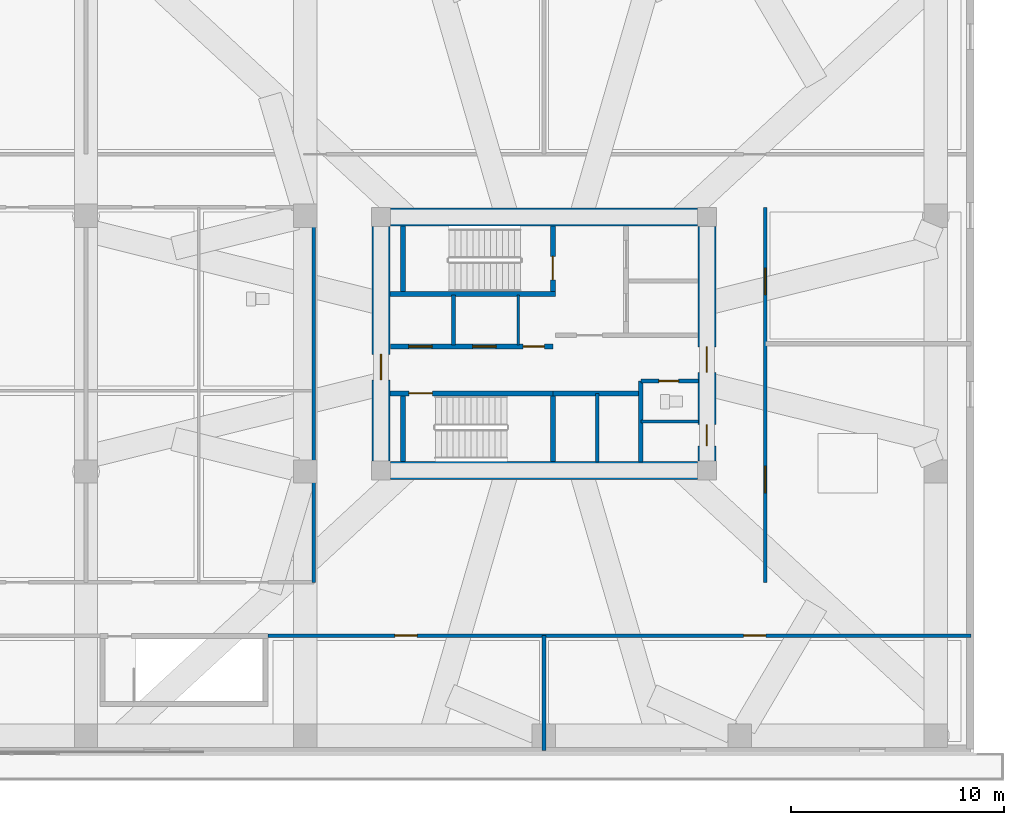
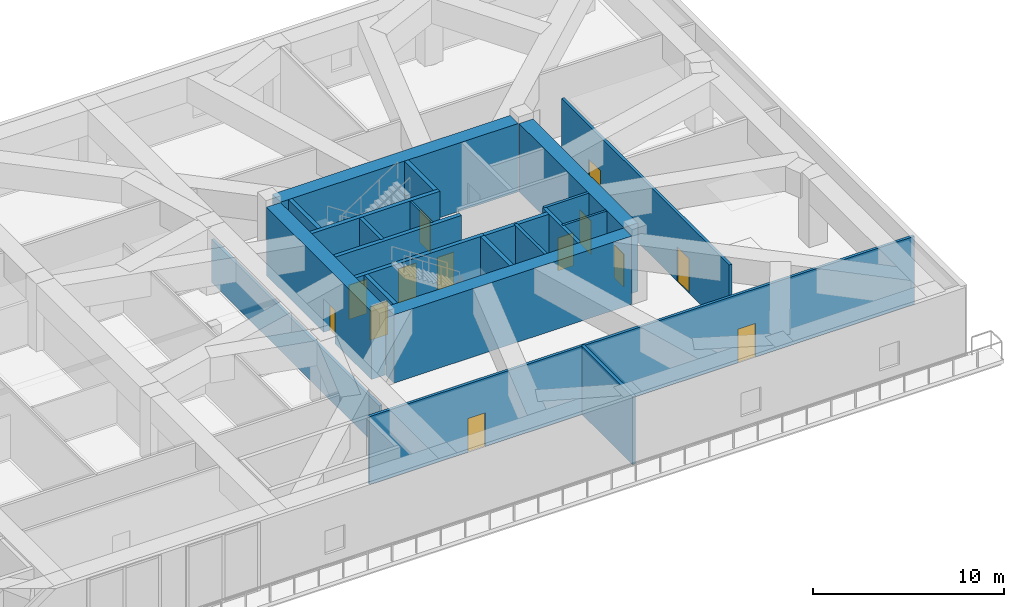
# One storey, part 11 of 21: 22 walls, 13 doors, 13 openings.
"""IFC4 building model written with IfcOpenShell, lengths in metres."""

import ifcopenshell
import ifcopenshell.guid

model = None  # the IFC model being written
_history = None  # IfcOwnerHistory: only IFC2X3 demands one
_inside = {}  # id of a spatial element -> (the spatial element, [elements in it])
_under = {}  # id of a project, library or spatial element -> (it, [spatial elements below it])
_declared = {}  # id of a project -> (the project, [libraries it declares])
_typed = {}  # id of a type object -> (the type object, [elements of that type])
_made_of = {}  # id of a material, layer set ... -> (it, [elements and type objects made of it])


def new_model(schema):
    """Start an empty IFC model of exactly this schema.

    Asked for "IFC4X3", IfcOpenShell would pick the latest addendum, in which some entities
    have other attributes; the version numbers below select the first issue.
    IFC2X3 requires an IfcOwnerHistory on every rooted entity: one is made here for all.
    """
    global model, _history
    if schema == "IFC4X3":
        model = ifcopenshell.file(schema_version=(4, 3, 0, 0))
    else:
        model = ifcopenshell.file(schema=schema)
    _inside.clear()
    _under.clear()
    _declared.clear()
    _typed.clear()
    _made_of.clear()
    _history = None
    if model.schema == "IFC2X3":
        org = make("IfcOrganization", Name="unknown")
        user = make(
            "IfcPersonAndOrganization",
            ThePerson=make("IfcPerson", FamilyName="unknown"),
            TheOrganization=org,
        )
        app = make(
            "IfcApplication",
            ApplicationDeveloper=org,
            Version="unknown",
            ApplicationFullName="unknown",
            ApplicationIdentifier="unknown",
        )
        _history = make(
            "IfcOwnerHistory",
            OwningUser=user,
            OwningApplication=app,
            ChangeAction="ADDED",
            CreationDate=0,
        )
    return model


def make(cls, **values):
    """One entity of the class cls with the attributes given. An attribute that is None is left unset."""
    return model.create_entity(
        cls, **{name: value for name, value in values.items() if value is not None}
    )


def rooted(cls, **values):
    """An entity with a GlobalId (a new one), such as an element, a storey or a relation."""
    return make(cls, GlobalId=ifcopenshell.guid.new(), OwnerHistory=_history, **values)


def si_unit(unit_type, name, prefix=None):
    """IfcSIUnit, for example si_unit("LENGTHUNIT", "METRE", prefix="MILLI")."""
    return make("IfcSIUnit", UnitType=unit_type, Prefix=prefix, Name=name)


def assignment(units):
    """IfcUnitAssignment: the units of a project."""
    return None if units is None else make("IfcUnitAssignment", Units=units)


def point(xyz):
    """IfcCartesianPoint."""
    return None if xyz is None else make("IfcCartesianPoint", Coordinates=xyz)


def direction(xyz):
    """IfcDirection."""
    return None if xyz is None else make("IfcDirection", DirectionRatios=xyz)


def frame(location, z_axis=None, x_axis=None):
    """IfcAxis2Placement3D, a coordinate frame: its origin and axes. An axis left out is left unset."""
    return make(
        "IfcAxis2Placement3D",
        Location=point(location),
        Axis=direction(z_axis),
        RefDirection=direction(x_axis),
    )


def frame_2d(location, x_axis=None):
    """IfcAxis2Placement2D, a coordinate frame in the plane: its origin and x axis."""
    return make(
        "IfcAxis2Placement2D", Location=point(location), RefDirection=direction(x_axis)
    )


def origin():
    """The frame at (0, 0, 0) with its axes left unset."""
    return frame((0.0, 0.0, 0.0))


def place(relative_to, where):
    """IfcLocalPlacement: puts the frame where relative to a parent placement (None: the world)."""
    return make(
        "IfcLocalPlacement", PlacementRelTo=relative_to, RelativePlacement=where
    )


def context(
    kind, dimensions, precision=None, world=None, true_north=None, identifier=None
):
    """IfcGeometricRepresentationContext, for example the 3D "Model" context."""
    return make(
        "IfcGeometricRepresentationContext",
        ContextIdentifier=identifier,
        ContextType=kind,
        CoordinateSpaceDimension=dimensions,
        Precision=precision,
        WorldCoordinateSystem=world,
        TrueNorth=true_north,
    )


def subcontext(parent, identifier, kind, view, scale=None):
    """IfcGeometricRepresentationSubContext, for example "Body" below "Model"."""
    return make(
        "IfcGeometricRepresentationSubContext",
        ContextIdentifier=identifier,
        ContextType=kind,
        ParentContext=parent,
        TargetScale=scale,
        TargetView=view,
    )


def project(units=None, contexts=None):
    """IfcProject with its units and contexts."""
    return rooted(
        "IfcProject",
        Name="project",
        RepresentationContexts=contexts,
        UnitsInContext=assignment(units),
    )


def spatial(cls, under=None, at=None, **own):
    """A site, building, storey or space (cls), placed at a placement, below another one or the project."""
    s = rooted(cls, ObjectPlacement=at, **own)
    if under is not None:
        _under.setdefault(under.id(), (under, []))[1].append(s)
    return s


def profile(cls, at=None, kind="AREA", **sizes):
    """A parametric profile (cls). Its sizes go by their IFC names, for example OverallWidth=200.0."""
    return make(cls, ProfileType=kind, Position=at, **sizes)


def rectangle(**sizes):
    """IfcRectangleProfileDef."""
    return profile("IfcRectangleProfileDef", **sizes)


def extrude(swept, where, along, depth):
    """IfcExtrudedAreaSolid: the profile swept, set in the frame where, extruded along a direction by depth."""
    return make(
        "IfcExtrudedAreaSolid",
        SweptArea=swept,
        Position=where,
        ExtrudedDirection=direction(along),
        Depth=depth,
    )


def shape(context_of_items, identifier, shape_type, items):
    """IfcShapeRepresentation: the items that make up one representation, for example the "Body"."""
    return make(
        "IfcShapeRepresentation",
        ContextOfItems=context_of_items,
        RepresentationIdentifier=identifier,
        RepresentationType=shape_type,
        Items=items,
    )


def source(mapping_origin, context_of_items, identifier, shape_type, items):
    """IfcRepresentationMap: a shape defined once, which mapped items show again and again."""
    return make(
        "IfcRepresentationMap",
        MappingOrigin=mapping_origin,
        MappedRepresentation=shape(context_of_items, identifier, shape_type, items),
    )


def transform(
    local_origin,
    x_axis=None,
    y_axis=None,
    z_axis=None,
    scale=None,
    scale2=None,
    scale3=None,
    uniform=True,
):
    """IfcCartesianTransformationOperator3D, or its non-uniform kind. x_axis, y_axis, z_axis: its Axis1, 2, 3."""
    if uniform:
        return make(
            "IfcCartesianTransformationOperator3D",
            Axis1=direction(x_axis),
            Axis2=direction(y_axis),
            LocalOrigin=point(local_origin),
            Scale=scale,
            Axis3=direction(z_axis),
        )
    return make(
        "IfcCartesianTransformationOperator3DnonUniform",
        Axis1=direction(x_axis),
        Axis2=direction(y_axis),
        LocalOrigin=point(local_origin),
        Scale=scale,
        Axis3=direction(z_axis),
        Scale2=scale2,
        Scale3=scale3,
    )


def mapped(mapping_source, mapping_target):
    """IfcMappedItem: shows the shape of a source again, moved by a transform."""
    return make(
        "IfcMappedItem", MappingSource=mapping_source, MappingTarget=mapping_target
    )


def material(Name=None, Category=None):
    """IfcMaterial."""
    return make("IfcMaterial", Name=Name, Category=Category)


def layer(
    of_material, thickness, ventilated=None, Name=None, Category=None, Priority=None
):
    """IfcMaterialLayer: one layer of a wall or slab, of a material (None: an air gap)."""
    return make(
        "IfcMaterialLayer",
        Material=of_material,
        LayerThickness=thickness,
        IsVentilated=ventilated,
        Name=Name,
        Category=Category,
        Priority=Priority,
    )


def layer_set(layers, Name=None):
    """IfcMaterialLayerSet."""
    return make("IfcMaterialLayerSet", MaterialLayers=layers, LayerSetName=Name)


def made_of(thing, what):
    """Note that an element or type object is made of a material, layer set ...; save() writes the relation."""
    if what is not None:
        _made_of.setdefault(what.id(), (what, []))[1].append(thing)
    return thing


def type_object(cls, material=None, **own):
    """A type object (cls), such as IfcWallType, which elements share."""
    return made_of(rooted(cls, **own), material)


def type_shapes(of_type, sources):
    """Give a type object the sources (RepresentationMaps) that its elements show as mapped items."""
    of_type.RepresentationMaps = sources


def element(
    cls,
    number,
    at=None,
    inside=None,
    cuts=None,
    type_object=None,
    material=None,
    context=None,
    identifier="Body",
    shape_type=None,
    held_by="IfcProductDefinitionShape",
    body=None,
    shapes=None,
    **own,
):
    """One element of the class cls, such as IfcWall. Its Tag is "e" and its number.

    at: its placement. inside: the storey or other place that contains it. cuts: it is an
    opening in that element (IfcRelVoidsElement). A single representation is given by context,
    identifier, shape_type and body (its items); several are given by shapes. held_by: the class
    of the entity that holds the representations. save() writes the other relations.
    """
    e = rooted(cls, Tag="e%d" % number, ObjectPlacement=at, **own)
    if body is not None:
        shapes = [shape(context, identifier, shape_type, body)]
    if shapes is not None:
        e.Representation = make(held_by, Representations=shapes)
    if inside is not None:
        _inside.setdefault(inside.id(), (inside, []))[1].append(e)
    if cuts is not None:
        rooted(
            "IfcRelVoidsElement", RelatingBuildingElement=cuts, RelatedOpeningElement=e
        )
    if type_object is not None:
        _typed.setdefault(type_object.id(), (type_object, []))[1].append(e)
    return made_of(e, material)


def fill(opening, filler):
    """IfcRelFillsElement: the door or window that sits in an opening."""
    return rooted(
        "IfcRelFillsElement",
        RelatingOpeningElement=opening,
        RelatedBuildingElement=filler,
    )


def aggregate(whole, parts):
    """IfcRelAggregates: a whole, such as a stair, and the parts it consists of."""
    return rooted("IfcRelAggregates", RelatingObject=whole, RelatedObjects=parts)


def save(model, path):
    """Write the relations noted so far, then the file.

    IfcRelAggregates (storeys below a building ...), IfcRelContainedInSpatialStructure (elements
    in a storey), IfcRelDefinesByType, IfcRelAssociatesMaterial and IfcRelDeclares: one each for
    every whole, place, type object, material and project.
    """
    for whole, parts in _under.values():
        aggregate(whole, parts)
    for where, things in _inside.values():
        rooted(
            "IfcRelContainedInSpatialStructure",
            RelatedElements=things,
            RelatingStructure=where,
        )
    for kind, things in _typed.values():
        rooted("IfcRelDefinesByType", RelatedObjects=things, RelatingType=kind)
    for what, things in _made_of.values():
        rooted("IfcRelAssociatesMaterial", RelatedObjects=things, RelatingMaterial=what)
    for by, libraries in _declared.values():
        rooted("IfcRelDeclares", RelatingContext=by, RelatedDefinitions=libraries)
    model.write(path)


model = new_model("IFC4")

# Units and contexts
model_context = context("Model", 3, precision=1e-05, world=origin(), true_north=direction((0.0, 1.0)))
body_context = subcontext(model_context, "Body", "Model", "MODEL_VIEW")
ifc_project = project(units=[si_unit("LENGTHUNIT", "METRE"), si_unit("AREAUNIT", "SQUARE_METRE"), si_unit("VOLUMEUNIT", "CUBIC_METRE"), si_unit("PLANEANGLEUNIT", "RADIAN"), si_unit("MASSUNIT", "GRAM", prefix="KILO")], contexts=[model_context])

# Site, building, storey
site_placement = place(None, origin())
site = spatial("IfcSite", under=ifc_project, at=site_placement, CompositionType="ELEMENT")
building_placement = place(site_placement, origin())
building = spatial("IfcBuilding", under=site, at=building_placement, Name="Norrkilde Senior Care Towers", CompositionType="ELEMENT")
storey_placement = place(building_placement, frame((0.0, 0.0, 16.800048828125)))
storey = spatial("IfcBuildingStorey", under=building, at=storey_placement, Name="L04", CompositionType="ELEMENT", Elevation=16.800048828125)

# Walls
ifc_material_1 = material(Name="Concrete C60/75", Category="concrete")
ifc_layer_1 = layer(ifc_material_1, 0.85009765625)
ifc_layer_set_1 = layer_set([ifc_layer_1], Name="Concrete C60/75")
wall_type_1 = type_object("IfcWallType", Name="Core Shear Wall Z1 850", PredefinedType="SHEAR", material=ifc_layer_set_1)
shared_shape_1 = source(origin(), body_context, "Body", "SweptSolid", [
    extrude(rectangle(XDim=14.39990234375, YDim=0.85009765625, at=frame_2d((7.199951171875, 0.0))), origin(), (0.0, 0.0, 1.0), 4.3798828125),
])
for number, where, z_axis, x_axis, name in (
    (1, (20.800048828125, 5.949951171875, 0.0), (0.0, 0.0, 1.0), (1.0, 0.0, 0.0), "L04 Core E North Shear Wall"),
    (2, (35.199951171875, -5.949951171875, 0.0), (0.0, 0.0, 1.0), (-1.0, 0.0, 0.0), "L04 Core E South Shear Wall"),
):
    element("IfcWall", number, at=place(storey_placement, frame(where, z_axis=z_axis, x_axis=x_axis)), inside=storey, type_object=wall_type_1, Name=name, PredefinedType="SHEAR", context=body_context, shape_type="MappedRepresentation", body=[
        mapped(shared_shape_1, transform((0.0, 0.0, 0.0), x_axis=(1.0, 0.0, 0.0), y_axis=(0.0, 1.0, 0.0), z_axis=(0.0, 0.0, 1.0), scale=1.0)),
    ])

# Wall, opening, door
shared_shape_2 = source(origin(), body_context, "Body", "SweptSolid", [
    extrude(rectangle(XDim=11.0, YDim=0.85009765625, at=frame_2d((5.5, 0.0))), origin(), (0.0, 0.0, 1.0), 4.3798828125),
])
type_shapes(wall_type_1, [shared_shape_1, shared_shape_2])
wall_1_placement = place(storey_placement, frame((20.35009765625, -5.5, 0.0), z_axis=(0.0, 0.0, 1.0), x_axis=(0.0, 1.0, 0.0)))
wall_1 = element("IfcWall", 3, at=wall_1_placement, inside=storey, type_object=wall_type_1, Name="L04 Core E West Shear Wall", PredefinedType="SHEAR", context=body_context, shape_type="MappedRepresentation", body=[
    mapped(shared_shape_2, transform((0.0, 0.0, 0.0), x_axis=(1.0, 0.0, 0.0), y_axis=(0.0, 1.0, 0.0), z_axis=(0.0, 0.0, 1.0), scale=1.0)),
])
opening_1_placement = place(wall_1_placement, frame((3.800048828125, 0.0, 0.0)))
opening_1 = element("IfcOpeningElement", 4, at=opening_1_placement, cuts=wall_1, Name="Opening D-04", PredefinedType="OPENING", context=body_context, shape_type="SweptSolid", body=[
    extrude(rectangle(XDim=1.199951171875, YDim=2.14990234375, at=frame_2d((0.60009765625, 1.074951171875))), frame((0.0, 0.43505859375, 0.0), z_axis=(0.0, -1.0, 0.0), x_axis=(1.0, 0.0, 0.0)), (0.0, 0.0, 1.0), 0.8701171875),
])
ifc_material_2 = material(Name="Galvanised Painted Steel", Category="steel")
door_type_1 = type_object("IfcDoorType", Name="Firefighting Lobby Fire Door 1200x2150", OperationType="NOTDEFINED", PredefinedType="DOOR", material=ifc_material_2)
shared_shape_3 = source(origin(), body_context, "Body", "SweptSolid", [
    extrude(rectangle(XDim=1.199951171875, YDim=2.14990234375, at=frame_2d((0.60009765625, 1.074951171875))), frame((0.0, 0.02490234375, 0.0), z_axis=(0.0, -1.0, 0.0), x_axis=(1.0, 0.0, 0.0)), (0.0, 0.0, 1.0), 0.050048828125),
])
type_shapes(door_type_1, [shared_shape_3])
door_1_placement = place(opening_1_placement, frame((1.199951171875, 0.0, 0.0), z_axis=(0.0, 0.0, 1.0), x_axis=(-1.0, 0.0, 0.0)))
door_1 = element("IfcDoor", 5, at=door_1_placement, inside=storey, type_object=door_type_1, Name="L04 Core E West Portal Door", OperationType="SINGLE_SWING_LEFT", OverallHeight=2.14990234375, OverallWidth=1.199951171875, PredefinedType="DOOR", context=body_context, shape_type="MappedRepresentation", body=[
    mapped(shared_shape_3, transform((0.0, 0.0, 0.0), x_axis=(1.0, 0.0, 0.0), y_axis=(0.0, 1.0, 0.0), z_axis=(0.0, 0.0, 1.0), scale=1.0)),
])
fill(opening_1, door_1)

# Wall, openings, doors
wall_2_placement = place(storey_placement, frame((35.64990234375, 5.5, 0.0), z_axis=(0.0, 0.0, 1.0), x_axis=(0.0, -1.0, 0.0)))
wall_2 = element("IfcWall", 6, at=wall_2_placement, inside=storey, type_object=wall_type_1, Name="L04 Core E East Shear Wall", PredefinedType="SHEAR", context=body_context, shape_type="MappedRepresentation", body=[
    mapped(shared_shape_2, transform((0.0, 0.0, 0.0), x_axis=(1.0, 0.0, 0.0), y_axis=(0.0, 1.0, 0.0), z_axis=(0.0, 0.0, 1.0), scale=1.0)),
])
opening_2_placement = place(wall_2_placement, frame((5.64990234375, 0.0, 0.0)))
opening_2 = element("IfcOpeningElement", 7, at=opening_2_placement, cuts=wall_2, Name="Opening D-04", PredefinedType="OPENING", context=body_context, shape_type="SweptSolid", body=[
    extrude(rectangle(XDim=1.199951171875, YDim=2.14990234375, at=frame_2d((0.60009765625, 1.074951171875))), frame((0.0, 0.43505859375, 0.0), z_axis=(0.0, -1.0, 0.0), x_axis=(1.0, 0.0, 0.0)), (0.0, 0.0, 1.0), 0.8701171875),
])
opening_3_placement = place(wall_2_placement, frame((9.300048828125, 0.0, 0.0)))
opening_3 = element("IfcOpeningElement", 8, at=opening_3_placement, cuts=wall_2, Name="Opening D-10", PredefinedType="OPENING", context=body_context, shape_type="SweptSolid", body=[
    extrude(rectangle(XDim=1.0, YDim=2.10009765625, at=frame_2d((0.5, 1.050048828125))), frame((0.0, 0.43505859375, 0.0), z_axis=(0.0, -1.0, 0.0), x_axis=(1.0, 0.0, 0.0)), (0.0, 0.0, 1.0), 0.8701171875),
])
door_2_placement = place(opening_2_placement, frame((1.199951171875, 0.0, 0.0), z_axis=(0.0, 0.0, 1.0), x_axis=(-1.0, 0.0, 0.0)))
door_2 = element("IfcDoor", 9, at=door_2_placement, inside=storey, type_object=door_type_1, Name="L04 Core E East Portal Door", OperationType="SINGLE_SWING_RIGHT", OverallHeight=2.14990234375, OverallWidth=1.199951171875, PredefinedType="DOOR", context=body_context, shape_type="MappedRepresentation", body=[
    mapped(shared_shape_3, transform((0.0, 0.0, 0.0), x_axis=(1.0, 0.0, 0.0), y_axis=(0.0, 1.0, 0.0), z_axis=(0.0, 0.0, 1.0), scale=1.0)),
])
fill(opening_2, door_2)
door_type_2 = type_object("IfcDoorType", Name="Plant and Riser Rated Door 1000x2100", OperationType="NOTDEFINED", PredefinedType="DOOR", material=ifc_material_2)
shared_shape_4 = source(origin(), body_context, "Body", "SweptSolid", [
    extrude(rectangle(XDim=1.0, YDim=2.10009765625, at=frame_2d((0.5, 1.050048828125))), frame((0.0, 0.02490234375, 0.0), z_axis=(0.0, -1.0, 0.0), x_axis=(1.0, 0.0, 0.0)), (0.0, 0.0, 1.0), 0.050048828125),
])
type_shapes(door_type_2, [shared_shape_4])
door_3_placement = place(opening_3_placement, frame((1.0, 0.0, 0.0), z_axis=(0.0, 0.0, 1.0), x_axis=(-1.0, 0.0, 0.0)))
door_3 = element("IfcDoor", 10, at=door_3_placement, inside=storey, type_object=door_type_2, Name="L04 Ventilation Riser E Door", OperationType="SINGLE_SWING_RIGHT", OverallHeight=2.10009765625, OverallWidth=1.0, PredefinedType="DOOR", context=body_context, shape_type="MappedRepresentation", body=[
    mapped(shared_shape_4, transform((0.0, 0.0, 0.0), x_axis=(1.0, 0.0, 0.0), y_axis=(0.0, 1.0, 0.0), z_axis=(0.0, 0.0, 1.0), scale=1.0)),
])
fill(opening_3, door_3)

# Wall
ifc_material_3 = material(Name="Concrete C45/55", Category="concrete")
ifc_layer_2 = layer(ifc_material_3, 0.239990234375)
ifc_layer_set_2 = layer_set([ifc_layer_2], Name="Concrete C45/55")
wall_type_2 = type_object("IfcWallType", Name="Shaft and Stair Enclosure Wall 240", PredefinedType="PARTITIONING", material=ifc_layer_set_2)
shared_shape_5 = source(origin(), body_context, "Body", "SweptSolid", [
    extrude(rectangle(XDim=7.76513671875, YDim=0.239990234375, at=frame_2d((3.882568359375, 0.0))), origin(), (0.0, 0.0, 1.0), 4.3798828125),
])
wall_3_placement = place(storey_placement, frame((20.77490234375, 2.330078125, 0.0), z_axis=(0.0, 0.0, 1.0), x_axis=(1.0, 0.0, 0.0)))
element("IfcWall", 11, at=wall_3_placement, inside=storey, type_object=wall_type_2, Name="WL-INT-L04-E-ST1S", PredefinedType="PARTITIONING", context=body_context, shape_type="MappedRepresentation", body=[
    mapped(shared_shape_5, transform((0.0, 0.0, 0.0), x_axis=(1.0, 0.0, 0.0), y_axis=(0.0, 1.0, 0.0), z_axis=(0.0, 0.0, 1.0), scale=1.0)),
])

# Wall, opening, door
wall_4_placement = place(storey_placement, frame((20.77490234375, -2.330078125, 0.0), z_axis=(0.0, 0.0, 1.0), x_axis=(1.0, 0.0, 0.0)))
wall_4 = element("IfcWall", 12, at=wall_4_placement, inside=storey, type_object=wall_type_2, Name="WL-INT-L04-E-ST2N", PredefinedType="PARTITIONING", context=body_context, shape_type="MappedRepresentation", body=[
    mapped(shared_shape_5, transform((0.0, 0.0, 0.0), x_axis=(1.0, 0.0, 0.0), y_axis=(0.0, 1.0, 0.0), z_axis=(0.0, 0.0, 1.0), scale=1.0)),
])
opening_4_placement = place(wall_4_placement, frame((0.885009765625, 0.0, 0.0)))
opening_4 = element("IfcOpeningElement", 13, at=opening_4_placement, cuts=wall_4, Name="Opening D-03", PredefinedType="OPENING", context=body_context, shape_type="SweptSolid", body=[
    extrude(rectangle(XDim=1.10009765625, YDim=2.14990234375, at=frame_2d((0.550048828125, 1.074951171875))), frame((0.0, 0.1298828125, 0.0), z_axis=(0.0, -1.0, 0.0), x_axis=(1.0, 0.0, 0.0)), (0.0, 0.0, 1.0), 0.260009765625),
])
door_type_3 = type_object("IfcDoorType", Name="Stairwell Protected Fire Door 1100x2150", OperationType="NOTDEFINED", PredefinedType="DOOR", material=ifc_material_2)
shared_shape_6 = source(origin(), body_context, "Body", "SweptSolid", [
    extrude(rectangle(XDim=1.10009765625, YDim=2.14990234375, at=frame_2d((0.550048828125, 1.074951171875))), frame((0.0, 0.02490234375, 0.0), z_axis=(0.0, -1.0, 0.0), x_axis=(1.0, 0.0, 0.0)), (0.0, 0.0, 1.0), 0.050048828125),
])
type_shapes(door_type_3, [shared_shape_6])
door_4_placement = place(opening_4_placement, frame((1.10009765625, 0.0, 0.0), z_axis=(0.0, 0.0, 1.0), x_axis=(-1.0, 0.0, 0.0)))
door_4 = element("IfcDoor", 14, at=door_4_placement, inside=storey, type_object=door_type_3, Name="L04 Stair E2 Fire Door", OperationType="SINGLE_SWING_RIGHT", OverallHeight=2.14990234375, OverallWidth=1.10009765625, PredefinedType="DOOR", context=body_context, shape_type="MappedRepresentation", body=[
    mapped(shared_shape_6, transform((0.0, 0.0, 0.0), x_axis=(1.0, 0.0, 0.0), y_axis=(0.0, 1.0, 0.0), z_axis=(0.0, 0.0, 1.0), scale=1.0)),
])
fill(opening_4, door_4)

# Wall
shared_shape_7 = source(origin(), body_context, "Body", "SweptSolid", [
    extrude(rectangle(XDim=3.074951171875, YDim=0.239990234375, at=frame_2d((1.53759765625, 0.0))), origin(), (0.0, 0.0, 1.0), 4.3798828125),
])
type_shapes(wall_type_2, [shared_shape_5, shared_shape_7])
wall_5_placement = place(storey_placement, frame((21.3798828125, 2.449951171875, 0.0), z_axis=(0.0, 0.0, 1.0), x_axis=(0.0, 1.0, 0.0)))
element("IfcWall", 15, at=wall_5_placement, inside=storey, type_object=wall_type_2, Name="WL-INT-L04-E-ST1W", PredefinedType="PARTITIONING", context=body_context, shape_type="MappedRepresentation", body=[
    mapped(shared_shape_7, transform((0.0, 0.0, 0.0), x_axis=(1.0, 0.0, 0.0), y_axis=(0.0, 1.0, 0.0), z_axis=(0.0, 0.0, 1.0), scale=1.0)),
])

# Wall, opening, door
wall_6_placement = place(storey_placement, frame((28.419921875, 2.449951171875, 0.0), z_axis=(0.0, 0.0, 1.0), x_axis=(0.0, 1.0, 0.0)))
wall_6 = element("IfcWall", 16, at=wall_6_placement, inside=storey, type_object=wall_type_2, Name="WL-INT-L04-E-ST1E", PredefinedType="PARTITIONING", context=body_context, shape_type="MappedRepresentation", body=[
    mapped(shared_shape_7, transform((0.0, 0.0, 0.0), x_axis=(1.0, 0.0, 0.0), y_axis=(0.0, 1.0, 0.0), z_axis=(0.0, 0.0, 1.0), scale=1.0)),
])
opening_5_placement = place(wall_6_placement, frame((0.550048828125, 0.0, 0.0)))
opening_5 = element("IfcOpeningElement", 17, at=opening_5_placement, cuts=wall_6, Name="Opening D-03", PredefinedType="OPENING", context=body_context, shape_type="SweptSolid", body=[
    extrude(rectangle(XDim=1.10009765625, YDim=2.14990234375, at=frame_2d((0.550048828125, 1.074951171875))), frame((0.0, 0.1298828125, 0.0), z_axis=(0.0, -1.0, 0.0), x_axis=(1.0, 0.0, 0.0)), (0.0, 0.0, 1.0), 0.260009765625),
])
door_5_placement = place(opening_5_placement, origin())
door_5 = element("IfcDoor", 18, at=door_5_placement, inside=storey, type_object=door_type_3, Name="L04 Stair E1 Fire Door", OperationType="SINGLE_SWING_LEFT", OverallHeight=2.14990234375, OverallWidth=1.10009765625, PredefinedType="DOOR", context=body_context, shape_type="MappedRepresentation", body=[
    mapped(shared_shape_6, transform((0.0, 0.0, 0.0), x_axis=(1.0, 0.0, 0.0), y_axis=(0.0, 1.0, 0.0), z_axis=(0.0, 0.0, 1.0), scale=1.0)),
])
fill(opening_5, door_5)

# Walls
for number, where, z_axis, x_axis, name in (
    (19, (21.3798828125, -5.52490234375, 0.0), (0.0, 0.0, 1.0), (0.0, 1.0, 0.0), "WL-INT-L04-E-ST2W"),
    (20, (28.419921875, -5.52490234375, 0.0), (0.0, 0.0, 1.0), (0.0, 1.0, 0.0), "WL-INT-L04-E-ST2E"),
):
    element("IfcWall", number, at=place(storey_placement, frame(where, z_axis=z_axis, x_axis=x_axis)), inside=storey, type_object=wall_type_2, Name=name, PredefinedType="PARTITIONING", context=body_context, shape_type="MappedRepresentation", body=[
        mapped(shared_shape_7, transform((0.0, 0.0, 0.0), x_axis=(1.0, 0.0, 0.0), y_axis=(0.0, 1.0, 0.0), z_axis=(0.0, 0.0, 1.0), scale=1.0)),
    ])

# Wall, openings, doors
ifc_layer_3 = layer(ifc_material_3, 0.239990234375)
ifc_layer_set_3 = layer_set([ifc_layer_3], Name="Concrete C45/55")
wall_type_3 = type_object("IfcWallType", Name="Lift and Plant Rated Enclosure Partition 240", PredefinedType="PARTITIONING", material=ifc_layer_set_3)
shared_shape_8 = source(origin(), body_context, "Body", "SweptSolid", [
    extrude(rectangle(XDim=7.619873046875, YDim=0.239990234375, at=frame_2d((3.81005859375, 0.0))), origin(), (0.0, 0.0, 1.0), 4.364990234375),
])
wall_7_placement = place(storey_placement, frame((20.800048828125, -0.1298828125, 0.0), z_axis=(0.0, 0.0, 1.0), x_axis=(1.0, 0.0, 0.0)))
wall_7 = element("IfcWall", 21, at=wall_7_placement, inside=storey, type_object=wall_type_3, Name="WL-INT-L04-E-PKAS", PredefinedType="PARTITIONING", context=body_context, shape_type="MappedRepresentation", body=[
    mapped(shared_shape_8, transform((0.0, 0.0, 0.0), x_axis=(1.0, 0.0, 0.0), y_axis=(0.0, 1.0, 0.0), z_axis=(0.0, 0.0, 1.0), scale=1.0)),
])
opening_6_placement = place(wall_7_placement, frame((6.219970703125, 0.0, 0.0)))
opening_6 = element("IfcOpeningElement", 22, at=opening_6_placement, cuts=wall_7, Name="Opening D-10", PredefinedType="OPENING", context=body_context, shape_type="SweptSolid", body=[
    extrude(rectangle(XDim=1.0, YDim=2.10009765625, at=frame_2d((0.5, 1.050048828125))), frame((0.0, 0.1298828125, 0.0), z_axis=(0.0, -1.0, 0.0), x_axis=(1.0, 0.0, 0.0)), (0.0, 0.0, 1.0), 0.260009765625),
])
opening_7_placement = place(wall_7_placement, frame((0.85009765625, 0.0, 0.0)))
opening_7 = element("IfcOpeningElement", 23, at=opening_7_placement, cuts=wall_7, Name="Opening LD-01", PredefinedType="OPENING", context=body_context, shape_type="SweptSolid", body=[
    extrude(rectangle(XDim=1.10009765625, YDim=2.199951171875, at=frame_2d((0.550048828125, 1.10009765625))), frame((0.0, 0.1298828125, 0.0), z_axis=(0.0, -1.0, 0.0), x_axis=(1.0, 0.0, 0.0)), (0.0, 0.0, 1.0), 0.260009765625),
])
opening_8_placement = place(wall_7_placement, frame((3.85009765625, 0.0, 0.0)))
opening_8 = element("IfcOpeningElement", 24, at=opening_8_placement, cuts=wall_7, Name="Opening LD-01", PredefinedType="OPENING", context=body_context, shape_type="SweptSolid", body=[
    extrude(rectangle(XDim=1.10009765625, YDim=2.199951171875, at=frame_2d((0.550048828125, 1.10009765625))), frame((0.0, 0.1298828125, 0.0), z_axis=(0.0, -1.0, 0.0), x_axis=(1.0, 0.0, 0.0)), (0.0, 0.0, 1.0), 0.260009765625),
])
door_6_placement = place(opening_6_placement, frame((1.0, 0.0, 0.0), z_axis=(0.0, 0.0, 1.0), x_axis=(-1.0, 0.0, 0.0)))
door_6 = element("IfcDoor", 25, at=door_6_placement, inside=storey, type_object=door_type_2, Name="L04 Electrical Riser E Door", OperationType="SINGLE_SWING_LEFT", OverallHeight=2.10009765625, OverallWidth=1.0, PredefinedType="DOOR", context=body_context, shape_type="MappedRepresentation", body=[
    mapped(shared_shape_4, transform((0.0, 0.0, 0.0), x_axis=(1.0, 0.0, 0.0), y_axis=(0.0, 1.0, 0.0), z_axis=(0.0, 0.0, 1.0), scale=1.0)),
])
fill(opening_6, door_6)
ifc_material_4 = material(Name="Stainless Steel", Category="steel")
door_type_4 = type_object("IfcDoorType", Name="Lift Landing Sliding Door 1100x2200", OperationType="NOTDEFINED", PredefinedType="DOOR", material=ifc_material_4)
shared_shape_9 = source(origin(), body_context, "Body", "SweptSolid", [
    extrude(rectangle(XDim=1.10009765625, YDim=2.199951171875, at=frame_2d((0.550048828125, 1.10009765625))), frame((0.0, 0.02490234375, 0.0), z_axis=(0.0, -1.0, 0.0), x_axis=(1.0, 0.0, 0.0)), (0.0, 0.0, 1.0), 0.050048828125),
])
type_shapes(door_type_4, [shared_shape_9])
door_7_placement = place(opening_7_placement, origin())
door_7 = element("IfcDoor", 26, at=door_7_placement, inside=storey, type_object=door_type_4, Name="L04 Passenger Lift E1 Landing Door", OperationType="SLIDING_TO_LEFT", OverallHeight=2.199951171875, OverallWidth=1.10009765625, PredefinedType="DOOR", context=body_context, shape_type="MappedRepresentation", body=[
    mapped(shared_shape_9, transform((0.0, 0.0, 0.0), x_axis=(1.0, 0.0, 0.0), y_axis=(0.0, 1.0, 0.0), z_axis=(0.0, 0.0, 1.0), scale=1.0)),
])
fill(opening_7, door_7)
door_8_placement = place(opening_8_placement, origin())
door_8 = element("IfcDoor", 27, at=door_8_placement, inside=storey, type_object=door_type_4, Name="L04 Passenger Lift E2 Landing Door", OperationType="SLIDING_TO_RIGHT", OverallHeight=2.199951171875, OverallWidth=1.10009765625, PredefinedType="DOOR", context=body_context, shape_type="MappedRepresentation", body=[
    mapped(shared_shape_9, transform((0.0, 0.0, 0.0), x_axis=(1.0, 0.0, 0.0), y_axis=(0.0, 1.0, 0.0), z_axis=(0.0, 0.0, 1.0), scale=1.0)),
])
fill(opening_8, door_8)

# Walls
ifc_material_5 = material(Name="Gypsum Acoustic Board")
ifc_layer_4 = layer(ifc_material_5, 0.114990234375)
ifc_layer_set_4 = layer_set([ifc_layer_4], Name="Gypsum Acoustic Board")
wall_type_4 = type_object("IfcWallType", Name="Internal Room Partition 115", PredefinedType="PARTITIONING", material=ifc_layer_set_4)
shared_shape_10 = source(origin(), body_context, "Body", "SweptSolid", [
    extrude(rectangle(XDim=2.330078125, YDim=0.114990234375, at=frame_2d((1.1650390625, 0.0))), origin(), (0.0, 0.0, 1.0), 4.364990234375),
])
type_shapes(wall_type_4, [shared_shape_10])
wall_8_placement = place(storey_placement, frame((26.7900390625, -0.050048828125, 0.0), z_axis=(0.0, 0.0, 1.0), x_axis=(0.0, 1.0, 0.0)))
element("IfcWall", 28, at=wall_8_placement, inside=storey, type_object=wall_type_4, Name="WL-INT-L04-E-RISW", PredefinedType="PARTITIONING", context=body_context, shape_type="MappedRepresentation", body=[
    mapped(shared_shape_10, transform((0.0, 0.0, 0.0), x_axis=(1.0, 0.0, 0.0), y_axis=(0.0, 1.0, 0.0), z_axis=(0.0, 0.0, 1.0), scale=1.0)),
])
ifc_layer_5 = layer(ifc_material_3, 0.199951171875)
ifc_layer_set_5 = layer_set([ifc_layer_5], Name="Concrete C45/55")
wall_type_5 = type_object("IfcWallType", Name="Shaft Division and Plant Partition 200", PredefinedType="PARTITIONING", material=ifc_layer_set_5)
shared_shape_11 = source(origin(), body_context, "Body", "SweptSolid", [
    extrude(rectangle(XDim=2.330078125, YDim=0.199951171875, at=frame_2d((1.1650390625, 0.0))), origin(), (0.0, 0.0, 1.0), 4.364990234375),
])
wall_9_placement = place(storey_placement, frame((23.75, -0.050048828125, 0.0), z_axis=(0.0, 0.0, 1.0), x_axis=(0.0, 1.0, 0.0)))
element("IfcWall", 29, at=wall_9_placement, inside=storey, type_object=wall_type_5, Name="WL-INT-L04-E-PL12", PredefinedType="PARTITIONING", context=body_context, shape_type="MappedRepresentation", body=[
    mapped(shared_shape_11, transform((0.0, 0.0, 0.0), x_axis=(1.0, 0.0, 0.0), y_axis=(0.0, 1.0, 0.0), z_axis=(0.0, 0.0, 1.0), scale=1.0)),
])
shared_shape_12 = source(origin(), body_context, "Body", "SweptSolid", [
    extrude(rectangle(XDim=3.800048828125, YDim=0.199951171875, at=frame_2d((1.89990234375, 0.0))), origin(), (0.0, 0.0, 1.0), 4.364990234375),
])
type_shapes(wall_type_5, [shared_shape_11, shared_shape_12])
wall_10_placement = place(storey_placement, frame((32.550048828125, -5.550048828125, 0.0), z_axis=(0.0, 0.0, 1.0), x_axis=(0.0, 1.0, 0.0)))
element("IfcWall", 30, at=wall_10_placement, inside=storey, type_object=wall_type_5, Name="WL-INT-L04-E-PKBE", PredefinedType="PARTITIONING", context=body_context, shape_type="MappedRepresentation", body=[
    mapped(shared_shape_12, transform((0.0, 0.0, 0.0), x_axis=(1.0, 0.0, 0.0), y_axis=(0.0, 1.0, 0.0), z_axis=(0.0, 0.0, 1.0), scale=1.0)),
])
shared_shape_13 = source(origin(), body_context, "Body", "SweptSolid", [
    extrude(rectangle(XDim=4.130126953125, YDim=0.239990234375, at=frame_2d((2.06494140625, 0.0))), origin(), (0.0, 0.0, 1.0), 4.364990234375),
])
type_shapes(wall_type_3, [shared_shape_8, shared_shape_13])
wall_11_placement = place(storey_placement, frame((28.419921875, -2.330078125, 0.0), z_axis=(0.0, 0.0, 1.0), x_axis=(1.0, 0.0, 0.0)))
element("IfcWall", 31, at=wall_11_placement, inside=storey, type_object=wall_type_3, Name="WL-INT-L04-E-PKBN", PredefinedType="PARTITIONING", context=body_context, shape_type="MappedRepresentation", body=[
    mapped(shared_shape_13, transform((0.0, 0.0, 0.0), x_axis=(1.0, 0.0, 0.0), y_axis=(0.0, 1.0, 0.0), z_axis=(0.0, 0.0, 1.0), scale=1.0)),
])
ifc_layer_6 = layer(ifc_material_3, 0.179931640625)
ifc_layer_set_6 = layer_set([ifc_layer_6], Name="Concrete C45/55")
wall_type_6 = type_object("IfcWallType", Name="Hoistway Division Rated Partition 180", PredefinedType="PARTITIONING", material=ifc_layer_set_6)
shared_shape_14 = source(origin(), body_context, "Body", "SweptSolid", [
    extrude(rectangle(XDim=3.219970703125, YDim=0.179931640625, at=frame_2d((1.60986328125, 0.0))), origin(), (0.0, 0.0, 1.0), 4.364990234375),
])
type_shapes(wall_type_6, [shared_shape_14])
wall_12_placement = place(storey_placement, frame((30.5, -5.550048828125, 0.0), z_axis=(0.0, 0.0, 1.0), x_axis=(0.0, 1.0, 0.0)))
element("IfcWall", 32, at=wall_12_placement, inside=storey, type_object=wall_type_6, Name="WL-INT-L04-E-PL34", PredefinedType="PARTITIONING", context=body_context, shape_type="MappedRepresentation", body=[
    mapped(shared_shape_14, transform((0.0, 0.0, 0.0), x_axis=(1.0, 0.0, 0.0), y_axis=(0.0, 1.0, 0.0), z_axis=(0.0, 0.0, 1.0), scale=1.0)),
])

# Wall, opening, door
ifc_layer_7 = layer(ifc_material_5, 0.1650390625)
ifc_layer_set_7 = layer_set([ifc_layer_7], Name="Gypsum Acoustic Board")
wall_type_7 = type_object("IfcWallType", Name="Corridor Rated Partition 165", PredefinedType="PARTITIONING", material=ifc_layer_set_7)
shared_shape_15 = source(origin(), body_context, "Body", "SweptSolid", [
    extrude(rectangle(XDim=2.699951171875, YDim=0.1650390625, at=frame_2d((1.35009765625, 0.0))), origin(), (0.0, 0.0, 1.0), 4.364990234375),
])
wall_13_placement = place(storey_placement, frame((32.550048828125, -1.75, 0.0), z_axis=(0.0, 0.0, 1.0), x_axis=(1.0, 0.0, 0.0)))
wall_13 = element("IfcWall", 33, at=wall_13_placement, inside=storey, type_object=wall_type_7, Name="WL-INT-L04-E-CSN", PredefinedType="PARTITIONING", context=body_context, shape_type="MappedRepresentation", body=[
    mapped(shared_shape_15, transform((0.0, 0.0, 0.0), x_axis=(1.0, 0.0, 0.0), y_axis=(0.0, 1.0, 0.0), z_axis=(0.0, 0.0, 1.0), scale=1.0)),
])
opening_9_placement = place(wall_13_placement, frame((0.85009765625, 0.0, 0.0)))
opening_9 = element("IfcOpeningElement", 34, at=opening_9_placement, cuts=wall_13, Name="Opening D-12", PredefinedType="OPENING", context=body_context, shape_type="SweptSolid", body=[
    extrude(rectangle(XDim=0.925048828125, YDim=2.10009765625, at=frame_2d((0.46240234375, 1.050048828125))), frame((0.0, 0.092529296875, 0.0), z_axis=(0.0, -1.0, 0.0), x_axis=(1.0, 0.0, 0.0)), (0.0, 0.0, 1.0), 0.18505859375),
])
door_type_5 = type_object("IfcDoorType", Name="Core Wet Room Rated Door 925x2100", OperationType="NOTDEFINED", PredefinedType="DOOR", material=ifc_material_2)
shared_shape_16 = source(origin(), body_context, "Body", "SweptSolid", [
    extrude(rectangle(XDim=0.925048828125, YDim=2.10009765625, at=frame_2d((0.46240234375, 1.050048828125))), frame((0.0, 0.02490234375, 0.0), z_axis=(0.0, -1.0, 0.0), x_axis=(1.0, 0.0, 0.0)), (0.0, 0.0, 1.0), 0.050048828125),
])
type_shapes(door_type_5, [shared_shape_16])
door_9_placement = place(opening_9_placement, origin())
door_9 = element("IfcDoor", 35, at=door_9_placement, inside=storey, type_object=door_type_5, Name="L04 Staff WC E Door", OperationType="SINGLE_SWING_LEFT", OverallHeight=2.10009765625, OverallWidth=0.925048828125, PredefinedType="DOOR", context=body_context, shape_type="MappedRepresentation", body=[
    mapped(shared_shape_16, transform((0.0, 0.0, 0.0), x_axis=(1.0, 0.0, 0.0), y_axis=(0.0, 1.0, 0.0), z_axis=(0.0, 0.0, 1.0), scale=1.0)),
])
fill(opening_9, door_9)

# Wall
ifc_layer_8 = layer(ifc_material_5, 0.139892578125)
ifc_layer_set_8 = layer_set([ifc_layer_8], Name="Gypsum Acoustic Board")
wall_type_8 = type_object("IfcWallType", Name="En-suite Wet Room Wall 140", PredefinedType="PARTITIONING", material=ifc_layer_set_8)
shared_shape_17 = source(origin(), body_context, "Body", "SweptSolid", [
    extrude(rectangle(XDim=2.699951171875, YDim=0.139892578125, at=frame_2d((1.35009765625, 0.0))), origin(), (0.0, 0.0, 1.0), 4.364990234375),
])
type_shapes(wall_type_8, [shared_shape_17])
wall_14_placement = place(storey_placement, frame((32.550048828125, -3.64990234375, 0.0), z_axis=(0.0, 0.0, 1.0), x_axis=(1.0, 0.0, 0.0)))
element("IfcWall", 36, at=wall_14_placement, inside=storey, type_object=wall_type_8, Name="WL-INT-L04-E-CS2H", PredefinedType="PARTITIONING", context=body_context, shape_type="MappedRepresentation", body=[
    mapped(shared_shape_17, transform((0.0, 0.0, 0.0), x_axis=(1.0, 0.0, 0.0), y_axis=(0.0, 1.0, 0.0), z_axis=(0.0, 0.0, 1.0), scale=1.0)),
])

# Wall, openings, doors
shared_shape_18 = source(origin(), body_context, "Body", "SweptSolid", [
    extrude(rectangle(XDim=17.599853515625, YDim=0.1650390625, at=frame_2d((8.7998046875, 0.0))), origin(), (0.0, 0.0, 1.0), 4.364990234375),
])
wall_15_placement = place(storey_placement, frame((38.39990234375, -11.199951171875, 0.0), z_axis=(0.0, 0.0, 1.0), x_axis=(0.0, 1.0, 0.0)))
wall_15 = element("IfcWall", 37, at=wall_15_placement, inside=storey, type_object=wall_type_7, Name="WL-INT-L04-POD-OE", PredefinedType="PARTITIONING", context=body_context, shape_type="MappedRepresentation", body=[
    mapped(shared_shape_18, transform((0.0, 0.0, 0.0), x_axis=(1.0, 0.0, 0.0), y_axis=(0.0, 1.0, 0.0), z_axis=(0.0, 0.0, 1.0), scale=1.0)),
])
opening_10_placement = place(wall_15_placement, frame((4.199951171875, 0.0, 0.0)))
opening_10 = element("IfcOpeningElement", 38, at=opening_10_placement, cuts=wall_15, Name="Opening D-05", PredefinedType="OPENING", context=body_context, shape_type="SweptSolid", body=[
    extrude(rectangle(XDim=1.25, YDim=2.199951171875, at=frame_2d((0.625, 1.10009765625))), frame((0.0, 0.092529296875, 0.0), z_axis=(0.0, -1.0, 0.0), x_axis=(1.0, 0.0, 0.0)), (0.0, 0.0, 1.0), 0.18505859375),
])
opening_11_placement = place(wall_15_placement, frame((13.5, 0.0, 0.0)))
opening_11 = element("IfcOpeningElement", 39, at=opening_11_placement, cuts=wall_15, Name="Opening D-05", PredefinedType="OPENING", context=body_context, shape_type="SweptSolid", body=[
    extrude(rectangle(XDim=1.25, YDim=2.199951171875, at=frame_2d((0.625, 1.10009765625))), frame((0.0, 0.092529296875, 0.0), z_axis=(0.0, -1.0, 0.0), x_axis=(1.0, 0.0, 0.0)), (0.0, 0.0, 1.0), 0.18505859375),
])
ifc_material_6 = material(Name="Nordic Ash Timber", Category="wood")
door_type_6 = type_object("IfcDoorType", Name="Care Bedroom Bariatric Door 1250x2200", OperationType="NOTDEFINED", PredefinedType="DOOR", material=ifc_material_6)
shared_shape_19 = source(origin(), body_context, "Body", "SweptSolid", [
    extrude(rectangle(XDim=1.25, YDim=2.199951171875, at=frame_2d((0.625, 1.10009765625))), frame((0.0, 0.02490234375, 0.0), z_axis=(0.0, -1.0, 0.0), x_axis=(1.0, 0.0, 0.0)), (0.0, 0.0, 1.0), 0.050048828125),
])
type_shapes(door_type_6, [shared_shape_19])
door_10_placement = place(opening_10_placement, origin())
door_10 = element("IfcDoor", 40, at=door_10_placement, inside=storey, type_object=door_type_6, Name="L04 Rehab Ward OE1 Door", OperationType="SINGLE_SWING_LEFT", OverallHeight=2.199951171875, OverallWidth=1.25, PredefinedType="DOOR", context=body_context, shape_type="MappedRepresentation", body=[
    mapped(shared_shape_19, transform((0.0, 0.0, 0.0), x_axis=(1.0, 0.0, 0.0), y_axis=(0.0, 1.0, 0.0), z_axis=(0.0, 0.0, 1.0), scale=1.0)),
])
fill(opening_10, door_10)
door_11_placement = place(opening_11_placement, origin())
door_11 = element("IfcDoor", 41, at=door_11_placement, inside=storey, type_object=door_type_6, Name="L04 Wellness Hall OE2 Door", OperationType="SINGLE_SWING_RIGHT", OverallHeight=2.199951171875, OverallWidth=1.25, PredefinedType="DOOR", context=body_context, shape_type="MappedRepresentation", body=[
    mapped(shared_shape_19, transform((0.0, 0.0, 0.0), x_axis=(1.0, 0.0, 0.0), y_axis=(0.0, 1.0, 0.0), z_axis=(0.0, 0.0, 1.0), scale=1.0)),
])
fill(opening_11, door_11)

# Wall
shared_shape_20 = source(origin(), body_context, "Body", "SweptSolid", [
    extrude(rectangle(XDim=17.599853515625, YDim=0.1650390625, at=frame_2d((8.7998046875, 0.0))), origin(), (0.0, 0.0, 1.0), 2.764892578125),
])
wall_16_placement = place(storey_placement, frame((17.199951171875, -11.199951171875, 0.0), z_axis=(0.0, 0.0, 1.0), x_axis=(0.0, 1.0, 0.0)))
element("IfcWall", 42, at=wall_16_placement, inside=storey, type_object=wall_type_7, Name="WL-INT-L04-POD-E", PredefinedType="PARTITIONING", context=body_context, shape_type="MappedRepresentation", body=[
    mapped(shared_shape_20, transform((0.0, 0.0, 0.0), x_axis=(1.0, 0.0, 0.0), y_axis=(0.0, 1.0, 0.0), z_axis=(0.0, 0.0, 1.0), scale=1.0)),
])

# Wall, openings, doors
shared_shape_21 = source(origin(), body_context, "Body", "SweptSolid", [
    extrude(rectangle(XDim=33.0, YDim=0.1650390625, at=frame_2d((16.5, 0.0))), origin(), (0.0, 0.0, 1.0), 4.364990234375),
])
type_shapes(wall_type_7, [shared_shape_15, shared_shape_18, shared_shape_20, shared_shape_21])
wall_17_placement = place(storey_placement, frame((15.050048828125, -13.699951171875, 0.0), z_axis=(0.0, 0.0, 1.0), x_axis=(1.0, 0.0, 0.0)))
wall_17 = element("IfcWall", 43, at=wall_17_placement, inside=storey, type_object=wall_type_7, Name="WL-INT-L04-POD-SPE", PredefinedType="PARTITIONING", context=body_context, shape_type="MappedRepresentation", body=[
    mapped(shared_shape_21, transform((0.0, 0.0, 0.0), x_axis=(1.0, 0.0, 0.0), y_axis=(0.0, 1.0, 0.0), z_axis=(0.0, 0.0, 1.0), scale=1.0)),
])
opening_12_placement = place(wall_17_placement, frame((5.949951171875, 0.0, 0.0)))
opening_12 = element("IfcOpeningElement", 44, at=opening_12_placement, cuts=wall_17, Name="Opening D-06", PredefinedType="OPENING", context=body_context, shape_type="SweptSolid", body=[
    extrude(rectangle(XDim=1.050048828125, YDim=2.14990234375, at=frame_2d((0.52490234375, 1.074951171875))), frame((0.0, 0.092529296875, 0.0), z_axis=(0.0, -1.0, 0.0), x_axis=(1.0, 0.0, 0.0)), (0.0, 0.0, 1.0), 0.18505859375),
])
opening_13_placement = place(wall_17_placement, frame((22.324951171875, 0.0, 0.0)))
opening_13 = element("IfcOpeningElement", 45, at=opening_13_placement, cuts=wall_17, Name="Opening D-06", PredefinedType="OPENING", context=body_context, shape_type="SweptSolid", body=[
    extrude(rectangle(XDim=1.050048828125, YDim=2.14990234375, at=frame_2d((0.52490234375, 1.074951171875))), frame((0.0, 0.092529296875, 0.0), z_axis=(0.0, -1.0, 0.0), x_axis=(1.0, 0.0, 0.0)), (0.0, 0.0, 1.0), 0.18505859375),
])
door_type_7 = type_object("IfcDoorType", Name="Apartment Entrance Fire Door 1050x2150", OperationType="NOTDEFINED", PredefinedType="DOOR", material=ifc_material_6)
shared_shape_22 = source(origin(), body_context, "Body", "SweptSolid", [
    extrude(rectangle(XDim=1.050048828125, YDim=2.14990234375, at=frame_2d((0.52490234375, 1.074951171875))), frame((0.0, 0.02490234375, 0.0), z_axis=(0.0, -1.0, 0.0), x_axis=(1.0, 0.0, 0.0)), (0.0, 0.0, 1.0), 0.050048828125),
])
type_shapes(door_type_7, [shared_shape_22])
door_12_placement = place(opening_12_placement, frame((1.050048828125, 0.0, 0.0), z_axis=(0.0, 0.0, 1.0), x_axis=(-1.0, 0.0, 0.0)))
door_12 = element("IfcDoor", 46, at=door_12_placement, inside=storey, type_object=door_type_7, Name="L04 South Suite SE1 Door", OperationType="SINGLE_SWING_RIGHT", OverallHeight=2.14990234375, OverallWidth=1.050048828125, PredefinedType="DOOR", context=body_context, shape_type="MappedRepresentation", body=[
    mapped(shared_shape_22, transform((0.0, 0.0, 0.0), x_axis=(1.0, 0.0, 0.0), y_axis=(0.0, 1.0, 0.0), z_axis=(0.0, 0.0, 1.0), scale=1.0)),
])
fill(opening_12, door_12)
door_13_placement = place(opening_13_placement, frame((1.050048828125, 0.0, 0.0), z_axis=(0.0, 0.0, 1.0), x_axis=(-1.0, 0.0, 0.0)))
door_13 = element("IfcDoor", 47, at=door_13_placement, inside=storey, type_object=door_type_7, Name="L04 South Suite SE2 Door", OperationType="SINGLE_SWING_LEFT", OverallHeight=2.14990234375, OverallWidth=1.050048828125, PredefinedType="DOOR", context=body_context, shape_type="MappedRepresentation", body=[
    mapped(shared_shape_22, transform((0.0, 0.0, 0.0), x_axis=(1.0, 0.0, 0.0), y_axis=(0.0, 1.0, 0.0), z_axis=(0.0, 0.0, 1.0), scale=1.0)),
])
fill(opening_13, door_13)

# Wall
ifc_layer_9 = layer(ifc_material_5, 0.18994140625)
ifc_layer_set_9 = layer_set([ifc_layer_9], Name="Gypsum Acoustic Board")
wall_type_9 = type_object("IfcWallType", Name="Unit Demising Acoustic Wall 190", PredefinedType="PARTITIONING", material=ifc_layer_set_9)
shared_shape_23 = source(origin(), body_context, "Body", "SweptSolid", [
    extrude(rectangle(XDim=5.400146484375, YDim=0.18994140625, at=frame_2d((2.7001953125, 0.0))), origin(), (0.0, 0.0, 1.0), 4.364990234375),
])
type_shapes(wall_type_9, [shared_shape_23])
wall_18_placement = place(storey_placement, frame((28.0, -19.10009765625, 0.0), z_axis=(0.0, 0.0, 1.0), x_axis=(0.0, 1.0, 0.0)))
element("IfcWall", 48, at=wall_18_placement, inside=storey, type_object=wall_type_9, Name="WL-INT-L04-POD-SED", PredefinedType="PARTITIONING", context=body_context, shape_type="MappedRepresentation", body=[
    mapped(shared_shape_23, transform((0.0, 0.0, 0.0), x_axis=(1.0, 0.0, 0.0), y_axis=(0.0, 1.0, 0.0), z_axis=(0.0, 0.0, 1.0), scale=1.0)),
])

save(model, "model.ifc")
